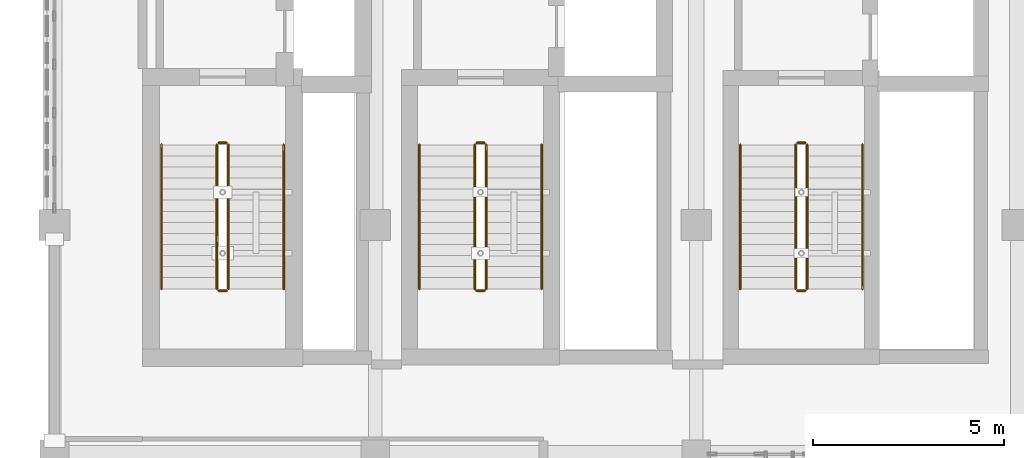
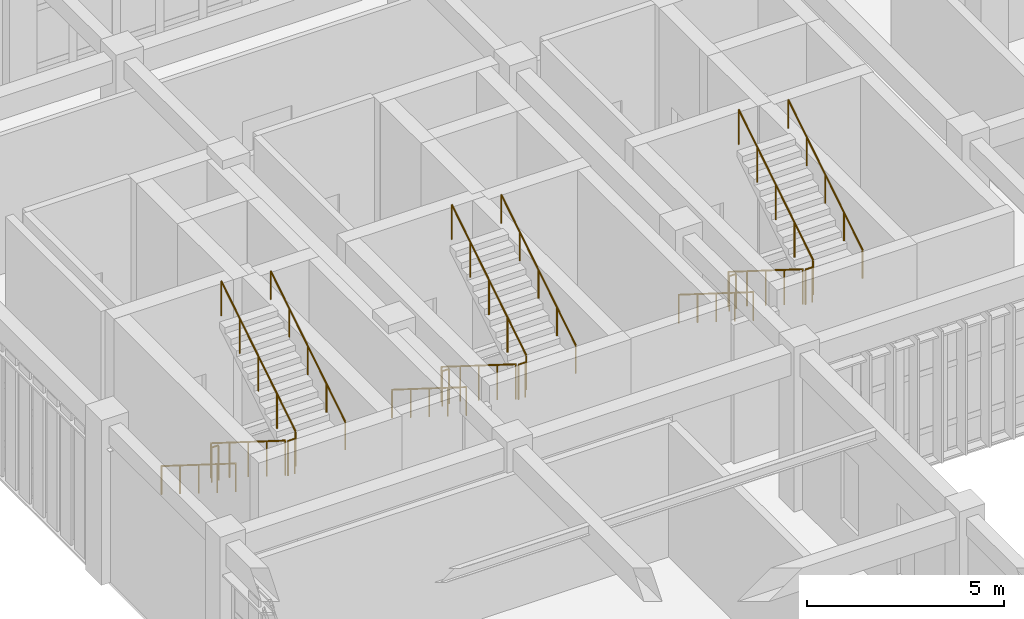
# One storey, part 76 of 77: 18 railings.
"""IFC4 building model written with IfcOpenShell, lengths in metres."""

from ifc_helpers import new_model, si_unit, direction, frame, origin, origin_2d, place, context, subcontext, project, spatial, circle, extrude, material, type_object, element, save


model = new_model("IFC4")

# Units and contexts
model_context = context("Model", 3, precision=1e-05, world=origin(), true_north=direction((0.0, 1.0)))
body_context = subcontext(model_context, "Body", "Model", "MODEL_VIEW")
ifc_project = project(units=[si_unit("LENGTHUNIT", "METRE"), si_unit("AREAUNIT", "SQUARE_METRE"), si_unit("VOLUMEUNIT", "CUBIC_METRE"), si_unit("PLANEANGLEUNIT", "RADIAN"), si_unit("MASSUNIT", "GRAM", prefix="KILO")], contexts=[model_context])

# Site, building, storey
site_placement = place(None, origin())
site = spatial("IfcSite", under=ifc_project, at=site_placement, CompositionType="ELEMENT")
building_placement = place(site_placement, origin())
building = spatial("IfcBuilding", under=site, at=building_placement, Name="Krzemoval Escarpment Law Courts", CompositionType="ELEMENT")
storey_placement = place(building_placement, frame((0.0, 0.0, 15.300048828125)))
storey = spatial("IfcBuildingStorey", under=building, at=storey_placement, Name="L03", CompositionType="ELEMENT", Elevation=15.300048828125)

# Railings
ifc_material_1 = material(Name="Galvanised Steel S355", Category="steel")
railing_type_1 = type_object("IfcRailingType", Name="RL-GRD-1100", PredefinedType="GUARDRAIL", material=ifc_material_1)
railing_1_placement = place(storey_placement, frame((130.25, 101.699951171875, 0.18212890625)))
element("IfcRailing", 1, at=railing_1_placement, inside=storey, type_object=railing_type_1, Name="L03 ST1 stair guard 1", PredefinedType="GUARDRAIL", context=body_context, shape_type="SweptSolid", body=[
    extrude(circle(Radius=0.02392578125, at=origin_2d()), frame((0.0, 0.0, 1.076171875), z_axis=(0.0, -0.846819337722, 0.53188063441), x_axis=(1.0, 0.0, 0.0)), (0.0, 0.0, 1.0), 4.451904296875),
    extrude(circle(Radius=0.02099609375, at=origin_2d()), origin(), (0.0, 0.0, 1.0), 1.052001953125),
    extrude(circle(Radius=0.02099609375, at=origin_2d()), frame((0.0, -0.9423828125, 0.592041015625)), (0.0, 0.0, 1.0), 1.052001953125),
    extrude(circle(Radius=0.02099609375, at=origin_2d()), frame((0.0, -1.885009765625, 1.18408203125)), (0.0, 0.0, 1.0), 1.052001953125),
    extrude(circle(Radius=0.02099609375, at=origin_2d()), frame((0.0, -2.82763671875, 1.77587890625)), (0.0, 0.0, 1.0), 1.052001953125),
    extrude(circle(Radius=0.02099609375, at=origin_2d()), frame((0.0, -3.77001953125, 2.367919921875)), (0.0, 0.0, 1.0), 1.052001953125),
])
railing_2_placement = place(storey_placement, frame((130.300048828125, 97.8798828125, 2.550048828125)))
element("IfcRailing", 2, at=railing_2_placement, inside=storey, type_object=railing_type_1, Name="L03 ST1 stair guard 2", PredefinedType="GUARDRAIL", context=body_context, shape_type="SweptSolid", body=[
    extrude(circle(Radius=0.02392578125, at=origin_2d()), frame((0.0, 0.0, 1.076171875), z_axis=(1.0, 0.0, 0.0), x_axis=(0.0, 1.0, 0.0)), (0.0, 0.0, 1.0), 0.199951171875),
    extrude(circle(Radius=0.02099609375, at=origin_2d()), origin(), (0.0, 0.0, 1.0), 1.052001953125),
    extrude(circle(Radius=0.02099609375, at=origin_2d()), frame((0.199951171875, 0.0, 0.0)), (0.0, 0.0, 1.0), 1.052001953125),
])
railing_3_placement = place(storey_placement, frame((130.550048828125, 97.929931640625, 2.732177734375)))
element("IfcRailing", 3, at=railing_3_placement, inside=storey, type_object=railing_type_1, Name="L03 ST1 stair guard 3", PredefinedType="GUARDRAIL", context=body_context, shape_type="SweptSolid", body=[
    extrude(circle(Radius=0.02392578125, at=origin_2d()), frame((0.0, 0.0, 1.076171875), z_axis=(0.0, 0.846844037257, 0.531841307688), x_axis=(-1.0, 0.0, 0.0)), (0.0, 0.0, 1.0), 4.451904296875),
    extrude(circle(Radius=0.02099609375, at=origin_2d()), origin(), (0.0, 0.0, 1.0), 1.052001953125),
    extrude(circle(Radius=0.02099609375, at=origin_2d()), frame((0.0, 0.9423828125, 0.591796875)), (0.0, 0.0, 1.0), 1.052001953125),
    extrude(circle(Radius=0.02099609375, at=origin_2d()), frame((0.0, 1.885009765625, 1.183837890625)), (0.0, 0.0, 1.0), 1.052001953125),
    extrude(circle(Radius=0.02099609375, at=origin_2d()), frame((0.0, 2.82763671875, 1.77587890625)), (0.0, 0.0, 1.0), 1.052001953125),
    extrude(circle(Radius=0.02099609375, at=origin_2d()), frame((0.0, 3.77001953125, 2.36767578125)), (0.0, 0.0, 1.0), 1.052001953125),
])
railing_4_placement = place(storey_placement, frame((130.300048828125, 101.75, 0.0)))
element("IfcRailing", 4, at=railing_4_placement, inside=storey, type_object=railing_type_1, Name="L03 ST1 stair guard 4", PredefinedType="GUARDRAIL", context=body_context, shape_type="SweptSolid", body=[
    extrude(circle(Radius=0.02392578125, at=origin_2d()), frame((0.0, 0.0, 1.076171875), z_axis=(1.0, 0.0, 0.0), x_axis=(0.0, 1.0, 0.0)), (0.0, 0.0, 1.0), 0.199951171875),
    extrude(circle(Radius=0.02099609375, at=origin_2d()), origin(), (0.0, 0.0, 1.0), 1.052001953125),
    extrude(circle(Radius=0.02099609375, at=origin_2d()), frame((0.199951171875, 0.0, 0.0)), (0.0, 0.0, 1.0), 1.052001953125),
])
railing_5_placement = place(storey_placement, frame((137.0, 101.699951171875, 0.18212890625)))
element("IfcRailing", 5, at=railing_5_placement, inside=storey, type_object=railing_type_1, Name="L03 ST2 stair guard 1", PredefinedType="GUARDRAIL", context=body_context, shape_type="SweptSolid", body=[
    extrude(circle(Radius=0.02392578125, at=origin_2d()), frame((0.0, 0.0, 1.076171875), z_axis=(0.0, -0.846819337722, 0.53188063441), x_axis=(1.0, 0.0, 0.0)), (0.0, 0.0, 1.0), 4.451904296875),
    extrude(circle(Radius=0.02099609375, at=origin_2d()), origin(), (0.0, 0.0, 1.0), 1.052001953125),
    extrude(circle(Radius=0.02099609375, at=origin_2d()), frame((0.0, -0.9423828125, 0.592041015625)), (0.0, 0.0, 1.0), 1.052001953125),
    extrude(circle(Radius=0.02099609375, at=origin_2d()), frame((0.0, -1.885009765625, 1.18408203125)), (0.0, 0.0, 1.0), 1.052001953125),
    extrude(circle(Radius=0.02099609375, at=origin_2d()), frame((0.0, -2.82763671875, 1.77587890625)), (0.0, 0.0, 1.0), 1.052001953125),
    extrude(circle(Radius=0.02099609375, at=origin_2d()), frame((0.0, -3.77001953125, 2.367919921875)), (0.0, 0.0, 1.0), 1.052001953125),
])
railing_6_placement = place(storey_placement, frame((137.050048828125, 97.8798828125, 2.550048828125)))
element("IfcRailing", 6, at=railing_6_placement, inside=storey, type_object=railing_type_1, Name="L03 ST2 stair guard 2", PredefinedType="GUARDRAIL", context=body_context, shape_type="SweptSolid", body=[
    extrude(circle(Radius=0.02392578125, at=origin_2d()), frame((0.0, 0.0, 1.076171875), z_axis=(1.0, 0.0, 0.0), x_axis=(0.0, 1.0, 0.0)), (0.0, 0.0, 1.0), 0.199951171875),
    extrude(circle(Radius=0.02099609375, at=origin_2d()), origin(), (0.0, 0.0, 1.0), 1.052001953125),
    extrude(circle(Radius=0.02099609375, at=origin_2d()), frame((0.199951171875, 0.0, 0.0)), (0.0, 0.0, 1.0), 1.052001953125),
])
railing_7_placement = place(storey_placement, frame((137.300048828125, 97.929931640625, 2.732177734375)))
element("IfcRailing", 7, at=railing_7_placement, inside=storey, type_object=railing_type_1, Name="L03 ST2 stair guard 3", PredefinedType="GUARDRAIL", context=body_context, shape_type="SweptSolid", body=[
    extrude(circle(Radius=0.02392578125, at=origin_2d()), frame((0.0, 0.0, 1.076171875), z_axis=(0.0, 0.846844037257, 0.531841307688), x_axis=(-1.0, 0.0, 0.0)), (0.0, 0.0, 1.0), 4.451904296875),
    extrude(circle(Radius=0.02099609375, at=origin_2d()), origin(), (0.0, 0.0, 1.0), 1.052001953125),
    extrude(circle(Radius=0.02099609375, at=origin_2d()), frame((0.0, 0.9423828125, 0.591796875)), (0.0, 0.0, 1.0), 1.052001953125),
    extrude(circle(Radius=0.02099609375, at=origin_2d()), frame((0.0, 1.885009765625, 1.183837890625)), (0.0, 0.0, 1.0), 1.052001953125),
    extrude(circle(Radius=0.02099609375, at=origin_2d()), frame((0.0, 2.82763671875, 1.77587890625)), (0.0, 0.0, 1.0), 1.052001953125),
    extrude(circle(Radius=0.02099609375, at=origin_2d()), frame((0.0, 3.77001953125, 2.36767578125)), (0.0, 0.0, 1.0), 1.052001953125),
])
railing_8_placement = place(storey_placement, frame((137.050048828125, 101.75, 0.0)))
element("IfcRailing", 8, at=railing_8_placement, inside=storey, type_object=railing_type_1, Name="L03 ST2 stair guard 4", PredefinedType="GUARDRAIL", context=body_context, shape_type="SweptSolid", body=[
    extrude(circle(Radius=0.02392578125, at=origin_2d()), frame((0.0, 0.0, 1.076171875), z_axis=(1.0, 0.0, 0.0), x_axis=(0.0, 1.0, 0.0)), (0.0, 0.0, 1.0), 0.199951171875),
    extrude(circle(Radius=0.02099609375, at=origin_2d()), origin(), (0.0, 0.0, 1.0), 1.052001953125),
    extrude(circle(Radius=0.02099609375, at=origin_2d()), frame((0.199951171875, 0.0, 0.0)), (0.0, 0.0, 1.0), 1.052001953125),
])
railing_9_placement = place(storey_placement, frame((145.39990234375, 101.699951171875, 0.18212890625)))
element("IfcRailing", 9, at=railing_9_placement, inside=storey, type_object=railing_type_1, Name="L03 ST3 stair guard 1", PredefinedType="GUARDRAIL", context=body_context, shape_type="SweptSolid", body=[
    extrude(circle(Radius=0.02392578125, at=origin_2d()), frame((0.0, 0.0, 1.076171875), z_axis=(0.0, -0.846819337722, 0.53188063441), x_axis=(1.0, 0.0, 0.0)), (0.0, 0.0, 1.0), 4.451904296875),
    extrude(circle(Radius=0.02099609375, at=origin_2d()), origin(), (0.0, 0.0, 1.0), 1.052001953125),
    extrude(circle(Radius=0.02099609375, at=origin_2d()), frame((0.0, -0.9423828125, 0.592041015625)), (0.0, 0.0, 1.0), 1.052001953125),
    extrude(circle(Radius=0.02099609375, at=origin_2d()), frame((0.0, -1.885009765625, 1.18408203125)), (0.0, 0.0, 1.0), 1.052001953125),
    extrude(circle(Radius=0.02099609375, at=origin_2d()), frame((0.0, -2.82763671875, 1.77587890625)), (0.0, 0.0, 1.0), 1.052001953125),
    extrude(circle(Radius=0.02099609375, at=origin_2d()), frame((0.0, -3.77001953125, 2.367919921875)), (0.0, 0.0, 1.0), 1.052001953125),
])
railing_10_placement = place(storey_placement, frame((145.449951171875, 97.8798828125, 2.550048828125)))
element("IfcRailing", 10, at=railing_10_placement, inside=storey, type_object=railing_type_1, Name="L03 ST3 stair guard 2", PredefinedType="GUARDRAIL", context=body_context, shape_type="SweptSolid", body=[
    extrude(circle(Radius=0.02392578125, at=origin_2d()), frame((0.0, 0.0, 1.076171875), z_axis=(1.0, 0.0, 0.0), x_axis=(0.0, 1.0, 0.0)), (0.0, 0.0, 1.0), 0.199951171875),
    extrude(circle(Radius=0.02099609375, at=origin_2d()), origin(), (0.0, 0.0, 1.0), 1.052001953125),
    extrude(circle(Radius=0.02099609375, at=origin_2d()), frame((0.199951171875, 0.0, 0.0)), (0.0, 0.0, 1.0), 1.052001953125),
])
railing_11_placement = place(storey_placement, frame((145.699951171875, 97.929931640625, 2.732177734375)))
element("IfcRailing", 11, at=railing_11_placement, inside=storey, type_object=railing_type_1, Name="L03 ST3 stair guard 3", PredefinedType="GUARDRAIL", context=body_context, shape_type="SweptSolid", body=[
    extrude(circle(Radius=0.02392578125, at=origin_2d()), frame((0.0, 0.0, 1.076171875), z_axis=(0.0, 0.846844037257, 0.531841307688), x_axis=(-1.0, 0.0, 0.0)), (0.0, 0.0, 1.0), 4.451904296875),
    extrude(circle(Radius=0.02099609375, at=origin_2d()), origin(), (0.0, 0.0, 1.0), 1.052001953125),
    extrude(circle(Radius=0.02099609375, at=origin_2d()), frame((0.0, 0.9423828125, 0.591796875)), (0.0, 0.0, 1.0), 1.052001953125),
    extrude(circle(Radius=0.02099609375, at=origin_2d()), frame((0.0, 1.885009765625, 1.183837890625)), (0.0, 0.0, 1.0), 1.052001953125),
    extrude(circle(Radius=0.02099609375, at=origin_2d()), frame((0.0, 2.82763671875, 1.77587890625)), (0.0, 0.0, 1.0), 1.052001953125),
    extrude(circle(Radius=0.02099609375, at=origin_2d()), frame((0.0, 3.77001953125, 2.36767578125)), (0.0, 0.0, 1.0), 1.052001953125),
])
railing_12_placement = place(storey_placement, frame((145.449951171875, 101.75, 0.0)))
element("IfcRailing", 12, at=railing_12_placement, inside=storey, type_object=railing_type_1, Name="L03 ST3 stair guard 4", PredefinedType="GUARDRAIL", context=body_context, shape_type="SweptSolid", body=[
    extrude(circle(Radius=0.02392578125, at=origin_2d()), frame((0.0, 0.0, 1.076171875), z_axis=(1.0, 0.0, 0.0), x_axis=(0.0, 1.0, 0.0)), (0.0, 0.0, 1.0), 0.199951171875),
    extrude(circle(Radius=0.02099609375, at=origin_2d()), origin(), (0.0, 0.0, 1.0), 1.052001953125),
    extrude(circle(Radius=0.02099609375, at=origin_2d()), frame((0.199951171875, 0.0, 0.0)), (0.0, 0.0, 1.0), 1.052001953125),
])
ifc_material_2 = material(Name="Brushed Stainless Steel Grade 304 Handrail", Category="steel")
railing_type_2 = type_object("IfcRailingType", Name="RL-HND-900", PredefinedType="HANDRAIL", material=ifc_material_2)
railing_13_placement = place(storey_placement, frame((128.800048828125, 101.699951171875, 0.18212890625)))
element("IfcRailing", 13, at=railing_13_placement, inside=storey, type_object=railing_type_2, Name="L03 ST1 stair handrail 1", PredefinedType="HANDRAIL", context=body_context, shape_type="SweptSolid", body=[
    extrude(circle(Radius=0.02392578125, at=origin_2d()), frame((0.0, 0.0, 0.8759765625), z_axis=(0.0, -0.846819337722, 0.53188063441), x_axis=(1.0, 0.0, 0.0)), (0.0, 0.0, 1.0), 4.451904296875),
    extrude(circle(Radius=0.02099609375, at=origin_2d()), origin(), (0.0, 0.0, 1.0), 0.851806640625),
    extrude(circle(Radius=0.02099609375, at=origin_2d()), frame((0.0, -0.9423828125, 0.592041015625)), (0.0, 0.0, 1.0), 0.851806640625),
    extrude(circle(Radius=0.02099609375, at=origin_2d()), frame((0.0, -1.885009765625, 1.18408203125)), (0.0, 0.0, 1.0), 0.851806640625),
    extrude(circle(Radius=0.02099609375, at=origin_2d()), frame((0.0, -2.82763671875, 1.77587890625)), (0.0, 0.0, 1.0), 0.851806640625),
    extrude(circle(Radius=0.02099609375, at=origin_2d()), frame((0.0, -3.77001953125, 2.367919921875)), (0.0, 0.0, 1.0), 0.851806640625),
])
railing_14_placement = place(storey_placement, frame((132.0, 97.929931640625, 2.732177734375)))
element("IfcRailing", 14, at=railing_14_placement, inside=storey, type_object=railing_type_2, Name="L03 ST1 stair handrail 2", PredefinedType="HANDRAIL", context=body_context, shape_type="SweptSolid", body=[
    extrude(circle(Radius=0.02392578125, at=origin_2d()), frame((0.0, 0.0, 0.8759765625), z_axis=(0.0, 0.846844037257, 0.531841307688), x_axis=(-1.0, 0.0, 0.0)), (0.0, 0.0, 1.0), 4.451904296875),
    extrude(circle(Radius=0.02099609375, at=origin_2d()), origin(), (0.0, 0.0, 1.0), 0.851806640625),
    extrude(circle(Radius=0.02099609375, at=origin_2d()), frame((0.0, 0.9423828125, 0.591796875)), (0.0, 0.0, 1.0), 0.851806640625),
    extrude(circle(Radius=0.02099609375, at=origin_2d()), frame((0.0, 1.885009765625, 1.183837890625)), (0.0, 0.0, 1.0), 0.851806640625),
    extrude(circle(Radius=0.02099609375, at=origin_2d()), frame((0.0, 2.82763671875, 1.77587890625)), (0.0, 0.0, 1.0), 0.851806640625),
    extrude(circle(Radius=0.02099609375, at=origin_2d()), frame((0.0, 3.77001953125, 2.36767578125)), (0.0, 0.0, 1.0), 0.851806640625),
])
railing_15_placement = place(storey_placement, frame((135.550048828125, 101.699951171875, 0.18212890625)))
element("IfcRailing", 15, at=railing_15_placement, inside=storey, type_object=railing_type_2, Name="L03 ST2 stair handrail 1", PredefinedType="HANDRAIL", context=body_context, shape_type="SweptSolid", body=[
    extrude(circle(Radius=0.02392578125, at=origin_2d()), frame((0.0, 0.0, 0.8759765625), z_axis=(0.0, -0.846819337722, 0.53188063441), x_axis=(1.0, 0.0, 0.0)), (0.0, 0.0, 1.0), 4.451904296875),
    extrude(circle(Radius=0.02099609375, at=origin_2d()), origin(), (0.0, 0.0, 1.0), 0.851806640625),
    extrude(circle(Radius=0.02099609375, at=origin_2d()), frame((0.0, -0.9423828125, 0.592041015625)), (0.0, 0.0, 1.0), 0.851806640625),
    extrude(circle(Radius=0.02099609375, at=origin_2d()), frame((0.0, -1.885009765625, 1.18408203125)), (0.0, 0.0, 1.0), 0.851806640625),
    extrude(circle(Radius=0.02099609375, at=origin_2d()), frame((0.0, -2.82763671875, 1.77587890625)), (0.0, 0.0, 1.0), 0.851806640625),
    extrude(circle(Radius=0.02099609375, at=origin_2d()), frame((0.0, -3.77001953125, 2.367919921875)), (0.0, 0.0, 1.0), 0.851806640625),
])
railing_16_placement = place(storey_placement, frame((138.75, 97.929931640625, 2.732177734375)))
element("IfcRailing", 16, at=railing_16_placement, inside=storey, type_object=railing_type_2, Name="L03 ST2 stair handrail 2", PredefinedType="HANDRAIL", context=body_context, shape_type="SweptSolid", body=[
    extrude(circle(Radius=0.02392578125, at=origin_2d()), frame((0.0, 0.0, 0.8759765625), z_axis=(0.0, 0.846844037257, 0.531841307688), x_axis=(-1.0, 0.0, 0.0)), (0.0, 0.0, 1.0), 4.451904296875),
    extrude(circle(Radius=0.02099609375, at=origin_2d()), origin(), (0.0, 0.0, 1.0), 0.851806640625),
    extrude(circle(Radius=0.02099609375, at=origin_2d()), frame((0.0, 0.9423828125, 0.591796875)), (0.0, 0.0, 1.0), 0.851806640625),
    extrude(circle(Radius=0.02099609375, at=origin_2d()), frame((0.0, 1.885009765625, 1.183837890625)), (0.0, 0.0, 1.0), 0.851806640625),
    extrude(circle(Radius=0.02099609375, at=origin_2d()), frame((0.0, 2.82763671875, 1.77587890625)), (0.0, 0.0, 1.0), 0.851806640625),
    extrude(circle(Radius=0.02099609375, at=origin_2d()), frame((0.0, 3.77001953125, 2.36767578125)), (0.0, 0.0, 1.0), 0.851806640625),
])
railing_17_placement = place(storey_placement, frame((143.949951171875, 101.699951171875, 0.18212890625)))
element("IfcRailing", 17, at=railing_17_placement, inside=storey, type_object=railing_type_2, Name="L03 ST3 stair handrail 1", PredefinedType="HANDRAIL", context=body_context, shape_type="SweptSolid", body=[
    extrude(circle(Radius=0.02392578125, at=origin_2d()), frame((0.0, 0.0, 0.8759765625), z_axis=(0.0, -0.846819337722, 0.53188063441), x_axis=(1.0, 0.0, 0.0)), (0.0, 0.0, 1.0), 4.451904296875),
    extrude(circle(Radius=0.02099609375, at=origin_2d()), origin(), (0.0, 0.0, 1.0), 0.851806640625),
    extrude(circle(Radius=0.02099609375, at=origin_2d()), frame((0.0, -0.9423828125, 0.592041015625)), (0.0, 0.0, 1.0), 0.851806640625),
    extrude(circle(Radius=0.02099609375, at=origin_2d()), frame((0.0, -1.885009765625, 1.18408203125)), (0.0, 0.0, 1.0), 0.851806640625),
    extrude(circle(Radius=0.02099609375, at=origin_2d()), frame((0.0, -2.82763671875, 1.77587890625)), (0.0, 0.0, 1.0), 0.851806640625),
    extrude(circle(Radius=0.02099609375, at=origin_2d()), frame((0.0, -3.77001953125, 2.367919921875)), (0.0, 0.0, 1.0), 0.851806640625),
])
railing_18_placement = place(storey_placement, frame((147.14990234375, 97.929931640625, 2.732177734375)))
element("IfcRailing", 18, at=railing_18_placement, inside=storey, type_object=railing_type_2, Name="L03 ST3 stair handrail 2", PredefinedType="HANDRAIL", context=body_context, shape_type="SweptSolid", body=[
    extrude(circle(Radius=0.02392578125, at=origin_2d()), frame((0.0, 0.0, 0.8759765625), z_axis=(0.0, 0.846844037257, 0.531841307688), x_axis=(-1.0, 0.0, 0.0)), (0.0, 0.0, 1.0), 4.451904296875),
    extrude(circle(Radius=0.02099609375, at=origin_2d()), origin(), (0.0, 0.0, 1.0), 0.851806640625),
    extrude(circle(Radius=0.02099609375, at=origin_2d()), frame((0.0, 0.9423828125, 0.591796875)), (0.0, 0.0, 1.0), 0.851806640625),
    extrude(circle(Radius=0.02099609375, at=origin_2d()), frame((0.0, 1.885009765625, 1.183837890625)), (0.0, 0.0, 1.0), 0.851806640625),
    extrude(circle(Radius=0.02099609375, at=origin_2d()), frame((0.0, 2.82763671875, 1.77587890625)), (0.0, 0.0, 1.0), 0.851806640625),
    extrude(circle(Radius=0.02099609375, at=origin_2d()), frame((0.0, 3.77001953125, 2.36767578125)), (0.0, 0.0, 1.0), 0.851806640625),
])

save(model, "model.ifc")
